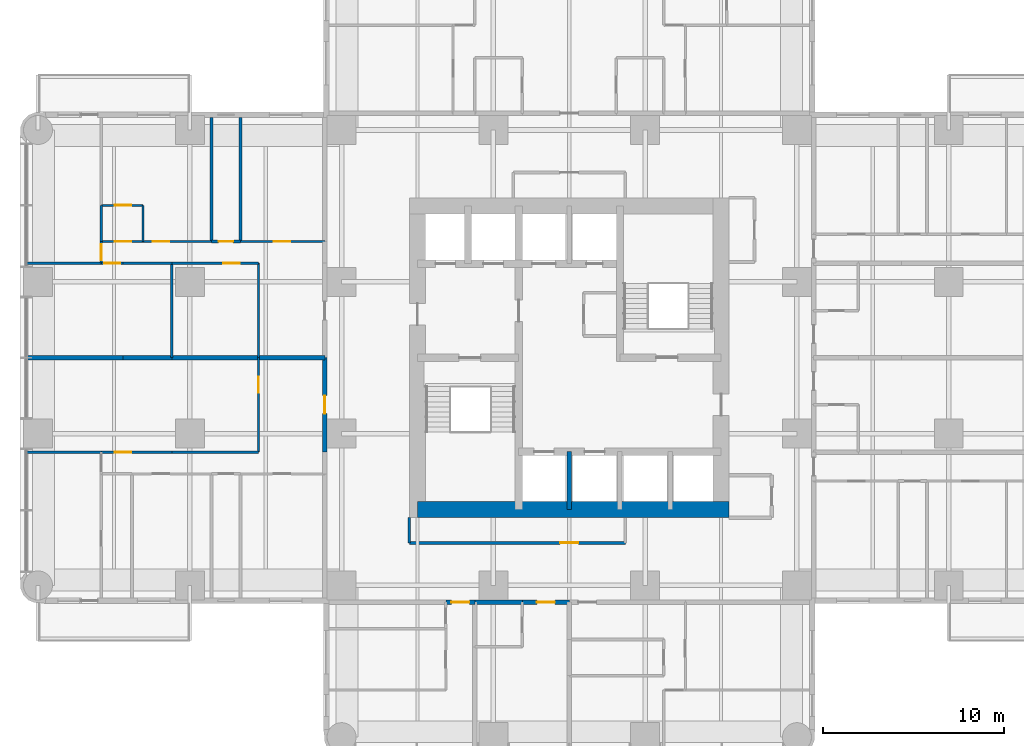
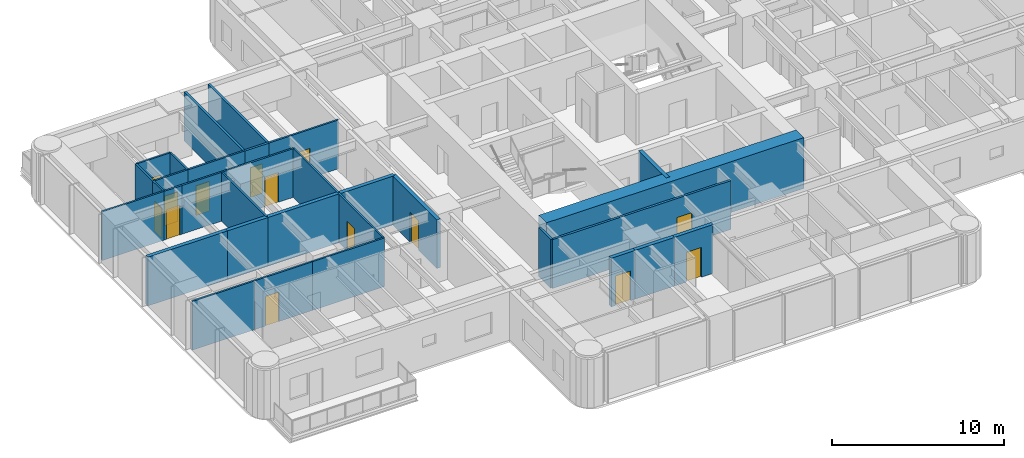
# One storey, part 7 of 14: 32 walls, 14 doors, 14 openings.
"""IFC4 building model written with IfcOpenShell, lengths in metres."""

from ifc_helpers import new_model, si_unit, direction, frame, frame_2d, origin, place, context, subcontext, project, spatial, rectangle, extrude, material, layer, layer_set, type_object, element, fill, save


model = new_model("IFC4")

# Units and contexts
model_context = context("Model", 3, precision=1e-05, world=origin(), true_north=direction((0.0, 1.0)))
body_context = subcontext(model_context, "Body", "Model", "MODEL_VIEW")
ifc_project = project(units=[si_unit("LENGTHUNIT", "METRE"), si_unit("AREAUNIT", "SQUARE_METRE"), si_unit("VOLUMEUNIT", "CUBIC_METRE"), si_unit("PLANEANGLEUNIT", "RADIAN"), si_unit("MASSUNIT", "GRAM", prefix="KILO")], contexts=[model_context])

# Site, building, storey
site_placement = place(None, origin())
site = spatial("IfcSite", under=ifc_project, at=site_placement, CompositionType="ELEMENT")
building_placement = place(site_placement, origin())
building = spatial("IfcBuilding", under=site, at=building_placement, Name="Torre Alcanfor", CompositionType="ELEMENT")
storey_placement = place(building_placement, frame((0.0, 0.0, 162.89990234375)))
storey = spatial("IfcBuildingStorey", under=building, at=storey_placement, Name="L42", CompositionType="ELEMENT", Elevation=162.89990234375)

# Wall, opening, door
ifc_material_1 = material(Name="Concrete block masonry, hollow blocks NMX-C-404 9 MPa", Category="masonry")
ifc_layer_1 = layer(ifc_material_1, 0.25)
ifc_layer_set_1 = layer_set([ifc_layer_1], Name="Apartment entrance wall 250 EI 60")
wall_type_1 = type_object("IfcWallType", Name="Apartment entrance wall 250 EI 60", PredefinedType="PARTITIONING", material=ifc_layer_set_1)
wall_1_placement = place(storey_placement, frame((29.39990234375, 15.875, 0.0), z_axis=(0.0, 0.0, 1.0), x_axis=(-1.0, 0.0, 0.0)))
wall_1 = element("IfcWall", 1, at=wall_1_placement, inside=storey, type_object=wall_type_1, Name="Partition L42-CORR / L42-S2A-STUDIO", PredefinedType="PARTITIONING", context=body_context, shape_type="SweptSolid", body=[
    extrude(rectangle(XDim=2.599853515625, YDim=0.25, at=frame_2d((1.2998046875, 0.0))), origin(), (0.0, 0.0, 1.0), 3.4501953125),
])
opening_1_placement = place(wall_1_placement, frame((0.800048828125, 0.0, 0.0)))
opening_1 = element("IfcOpeningElement", 2, at=opening_1_placement, cuts=wall_1, Name="Opening D-A1", PredefinedType="OPENING", context=body_context, shape_type="SweptSolid", body=[
    extrude(rectangle(XDim=1.0, YDim=2.10009765625, at=frame_2d((0.5, 1.050048828125))), frame((0.0, 0.135009765625, 0.0), z_axis=(0.0, -1.0, 0.0), x_axis=(1.0, 0.0, 0.0)), (0.0, 0.0, 1.0), 0.27001953125),
])
ifc_material_2 = material(Name="Galvanised steel sheet ASTM A653", Category="steel")
door_type_1 = type_object("IfcDoorType", Name="Apartment entrance door FD60 1000x2100", OperationType="SINGLE_SWING_LEFT", PredefinedType="DOOR", material=ifc_material_2)
door_1_placement = place(opening_1_placement, origin())
door_1 = element("IfcDoor", 3, at=door_1_placement, inside=storey, type_object=door_type_1, Name="Apartment entrance L42-S2A", OperationType="SINGLE_SWING_LEFT", OverallHeight=2.10009765625, OverallWidth=1.0, PredefinedType="DOOR", context=body_context, shape_type="SweptSolid", body=[
    extrude(rectangle(XDim=1.0, YDim=2.10009765625, at=frame_2d((0.5, 1.050048828125))), frame((0.0, 0.02490234375, 0.0), z_axis=(0.0, -1.0, 0.0), x_axis=(1.0, 0.0, 0.0)), (0.0, 0.0, 1.0), 0.050048828125),
])
fill(opening_1, door_1)

# Wall
wall_2_placement = place(storey_placement, frame((26.800048828125, 15.875, 0.0), z_axis=(0.0, 0.0, 1.0), x_axis=(-1.0, 0.0, 0.0)))
element("IfcWall", 4, at=wall_2_placement, inside=storey, type_object=wall_type_1, Name="Partition L42-CORR / L42-S2A-BATH", PredefinedType="PARTITIONING", context=body_context, shape_type="SweptSolid", body=[
    extrude(rectangle(XDim=2.629150390625, YDim=0.25, at=frame_2d((1.314453125, 0.0))), origin(), (0.0, 0.0, 1.0), 3.4501953125),
])

# Wall, opening, door
wall_3_placement = place(storey_placement, frame((24.1708984375, 15.875, 0.0), z_axis=(0.0, 0.0, 1.0), x_axis=(-1.0, 0.0, 0.0)))
wall_3 = element("IfcWall", 5, at=wall_3_placement, inside=storey, type_object=wall_type_1, Name="Partition L42-CORR / L42-S2B-LIVING", PredefinedType="PARTITIONING", context=body_context, shape_type="SweptSolid", body=[
    extrude(rectangle(XDim=1.599853515625, YDim=0.25, at=frame_2d((0.7998046875, 0.0))), origin(), (0.0, 0.0, 1.0), 3.4501953125),
])
opening_2_placement = place(wall_3_placement, frame((0.300048828125, 0.0, 0.0)))
opening_2 = element("IfcOpeningElement", 6, at=opening_2_placement, cuts=wall_3, Name="Opening D-A1", PredefinedType="OPENING", context=body_context, shape_type="SweptSolid", body=[
    extrude(rectangle(XDim=1.0, YDim=2.10009765625, at=frame_2d((0.5, 1.050048828125))), frame((0.0, 0.135009765625, 0.0), z_axis=(0.0, -1.0, 0.0), x_axis=(1.0, 0.0, 0.0)), (0.0, 0.0, 1.0), 0.27001953125),
])
door_2_placement = place(opening_2_placement, origin())
door_2 = element("IfcDoor", 7, at=door_2_placement, inside=storey, type_object=door_type_1, Name="Apartment entrance L42-S2B", OperationType="SINGLE_SWING_LEFT", OverallHeight=2.10009765625, OverallWidth=1.0, PredefinedType="DOOR", context=body_context, shape_type="SweptSolid", body=[
    extrude(rectangle(XDim=1.0, YDim=2.10009765625, at=frame_2d((0.5, 1.050048828125))), frame((0.0, 0.02490234375, 0.0), z_axis=(0.0, -1.0, 0.0), x_axis=(1.0, 0.0, 0.0)), (0.0, 0.0, 1.0), 0.050048828125),
])
fill(opening_2, door_2)

wall_4_placement = place(storey_placement, frame((15.875, 24.1708984375, 0.0), z_axis=(0.0, 0.0, 1.0), x_axis=(0.0, 1.0, 0.0)))
wall_4 = element("IfcWall", 8, at=wall_4_placement, inside=storey, type_object=wall_type_1, Name="Partition L42-CORR / L42-W1-ZAG", PredefinedType="PARTITIONING", context=body_context, shape_type="SweptSolid", body=[
    extrude(rectangle(XDim=5.22900390625, YDim=0.25, at=frame_2d((2.614501953125, 0.0))), origin(), (0.0, 0.0, 1.0), 3.4501953125),
])
opening_3_placement = place(wall_4_placement, frame((2.12890625, 0.0, 0.0)))
opening_3 = element("IfcOpeningElement", 9, at=opening_3_placement, cuts=wall_4, Name="Opening D-A1", PredefinedType="OPENING", context=body_context, shape_type="SweptSolid", body=[
    extrude(rectangle(XDim=1.0, YDim=2.10009765625, at=frame_2d((0.5, 1.050048828125))), frame((0.0, 0.135009765625, 0.0), z_axis=(0.0, -1.0, 0.0), x_axis=(1.0, 0.0, 0.0)), (0.0, 0.0, 1.0), 0.27001953125),
])
door_3_placement = place(opening_3_placement, origin())
door_3 = element("IfcDoor", 10, at=door_3_placement, inside=storey, type_object=door_type_1, Name="Apartment entrance L42-W1", OperationType="SINGLE_SWING_RIGHT", OverallHeight=2.10009765625, OverallWidth=1.0, PredefinedType="DOOR", context=body_context, shape_type="SweptSolid", body=[
    extrude(rectangle(XDim=1.0, YDim=2.10009765625, at=frame_2d((0.5, 1.050048828125))), frame((0.0, 0.02490234375, 0.0), z_axis=(0.0, -1.0, 0.0), x_axis=(1.0, 0.0, 0.0)), (0.0, 0.0, 1.0), 0.050048828125),
])
fill(opening_3, door_3)

ifc_material_3 = material(Name="Gypsum board on steel studs", Category="steel")
ifc_layer_2 = layer(ifc_material_3, 0.1201171875)
ifc_layer_set_2 = layer_set([ifc_layer_2], Name="Apartment partition 120")
wall_type_2 = type_object("IfcWallType", Name="Apartment partition 120", PredefinedType="PARTITIONING", material=ifc_layer_set_2)
wall_5_placement = place(storey_placement, frame((12.199951171875, 29.39990234375, 0.0), z_axis=(0.0, 0.0, 1.0), x_axis=(0.0, -1.0, 0.0)))
wall_5 = element("IfcWall", 11, at=wall_5_placement, inside=storey, type_object=wall_type_2, Name="Partition L42-W1-ZAG / L42-W1-KITCHEN", PredefinedType="PARTITIONING", context=body_context, shape_type="SweptSolid", body=[
    extrude(rectangle(XDim=5.22900390625, YDim=0.1201171875, at=frame_2d((2.614501953125, 0.0))), origin(), (0.0, 0.0, 1.0), 3.4501953125),
])
opening_4_placement = place(wall_5_placement, frame((1.050048828125, 0.0, 0.0)))
opening_4 = element("IfcOpeningElement", 12, at=opening_4_placement, cuts=wall_5, Name="Opening D-R1", PredefinedType="OPENING", context=body_context, shape_type="SweptSolid", body=[
    extrude(rectangle(XDim=0.89990234375, YDim=2.10009765625, at=frame_2d((0.449951171875, 1.050048828125))), frame((0.0, 0.070068359375, 0.0), z_axis=(0.0, -1.0, 0.0), x_axis=(1.0, 0.0, 0.0)), (0.0, 0.0, 1.0), 0.14013671875),
])
ifc_material_4 = material(Name="Timber", Category="wood")
door_type_2 = type_object("IfcDoorType", Name="Internal door 900x2100", OperationType="SINGLE_SWING_LEFT", PredefinedType="DOOR", material=ifc_material_4)
door_4_placement = place(opening_4_placement, frame((0.89990234375, 0.0, 0.0), z_axis=(0.0, 0.0, 1.0), x_axis=(-1.0, 0.0, 0.0)))
door_4 = element("IfcDoor", 13, at=door_4_placement, inside=storey, type_object=door_type_2, Name="Door L42-W1 kitchen", OperationType="SINGLE_SWING_RIGHT", OverallHeight=2.10009765625, OverallWidth=0.89990234375, PredefinedType="DOOR", context=body_context, shape_type="SweptSolid", body=[
    extrude(rectangle(XDim=0.89990234375, YDim=2.10009765625, at=frame_2d((0.449951171875, 1.050048828125))), frame((0.0, 0.025146484375, 0.0), z_axis=(0.0, -1.0, 0.0), x_axis=(1.0, 0.0, 0.0)), (0.0, 0.0, 1.0), 0.050048828125),
])
fill(opening_4, door_4)

# Wall
wall_6_placement = place(storey_placement, frame((7.39990234375, 24.1708984375, 0.0), z_axis=(0.0, 0.0, 1.0), x_axis=(1.0, 0.0, 0.0)))
element("IfcWall", 14, at=wall_6_placement, inside=storey, type_object=wall_type_2, Name="Partition L42-W1-KITCHEN / L42-W1-HALL", PredefinedType="PARTITIONING", context=body_context, shape_type="SweptSolid", body=[
    extrude(rectangle(XDim=4.800048828125, YDim=0.1201171875, at=frame_2d((2.39990234375, 0.0))), origin(), (0.0, 0.0, 1.0), 3.4501953125),
])

# Wall, opening, door
wall_7_placement = place(storey_placement, frame((3.5, 24.1708984375, 0.0), z_axis=(0.0, 0.0, 1.0), x_axis=(1.0, 0.0, 0.0)))
wall_7 = element("IfcWall", 15, at=wall_7_placement, inside=storey, type_object=wall_type_2, Name="Partition L42-W1-LIVING / L42-W1-HALL", PredefinedType="PARTITIONING", context=body_context, shape_type="SweptSolid", body=[
    extrude(rectangle(XDim=3.89990234375, YDim=0.1201171875, at=frame_2d((1.949951171875, 0.0))), origin(), (0.0, 0.0, 1.0), 3.4501953125),
])
opening_5_placement = place(wall_7_placement, frame((0.75, 0.0, 0.0)))
opening_5 = element("IfcOpeningElement", 16, at=opening_5_placement, cuts=wall_7, Name="Opening D-R1", PredefinedType="OPENING", context=body_context, shape_type="SweptSolid", body=[
    extrude(rectangle(XDim=0.89990234375, YDim=2.10009765625, at=frame_2d((0.449951171875, 1.050048828125))), frame((0.0, 0.070068359375, 0.0), z_axis=(0.0, -1.0, 0.0), x_axis=(1.0, 0.0, 0.0)), (0.0, 0.0, 1.0), 0.14013671875),
])
door_5_placement = place(opening_5_placement, origin())
door_5 = element("IfcDoor", 17, at=door_5_placement, inside=storey, type_object=door_type_2, Name="Door L42-W1 living", OperationType="SINGLE_SWING_RIGHT", OverallHeight=2.10009765625, OverallWidth=0.89990234375, PredefinedType="DOOR", context=body_context, shape_type="SweptSolid", body=[
    extrude(rectangle(XDim=0.89990234375, YDim=2.10009765625, at=frame_2d((0.449951171875, 1.050048828125))), frame((0.0, 0.02490234375, 0.0), z_axis=(0.0, -1.0, 0.0), x_axis=(1.0, 0.0, 0.0)), (0.0, 0.0, 1.0), 0.050048828125),
])
fill(opening_5, door_5)

# Walls
wall_8_placement = place(storey_placement, frame((-0.64990234375, 24.1708984375, 0.0), z_axis=(0.0, 0.0, 1.0), x_axis=(1.0, 0.0, 0.0)))
element("IfcWall", 18, at=wall_8_placement, inside=storey, type_object=wall_type_2, Name="Partition L42-W1-LIVING / L42-W1-MASTER", PredefinedType="PARTITIONING", context=body_context, shape_type="SweptSolid", body=[
    extrude(rectangle(XDim=4.14990234375, YDim=0.1201171875, at=frame_2d((2.074951171875, 0.0))), origin(), (0.0, 0.0, 1.0), 3.4501953125),
])
for number, where, z_axis, x_axis, name in (
    (19, (12.199951171875, 29.39990234375, 0.0), (0.0, 0.0, 1.0), (0.0, 1.0, 0.0), "Partition L42-W2-ZAG / L42-W2-FAMILY"),
    (20, (7.39990234375, 29.39990234375, 0.0), (0.0, 0.0, 1.0), (0.0, 1.0, 0.0), "Partition L42-W2-FAMILY / L42-W2-KITCHEN"),
):
    element("IfcWall", number, at=place(storey_placement, frame(where, z_axis=z_axis, x_axis=x_axis)), inside=storey, type_object=wall_type_2, Name=name, PredefinedType="PARTITIONING", context=body_context, shape_type="SweptSolid", body=[
        extrude(rectangle(XDim=5.22900390625, YDim=0.1201171875, at=frame_2d((2.614501953125, 0.0))), origin(), (0.0, 0.0, 1.0), 3.4501953125),
    ])

# Wall, opening, door
wall_9_placement = place(storey_placement, frame((7.39990234375, 34.62890625, 0.0), z_axis=(0.0, 0.0, 1.0), x_axis=(1.0, 0.0, 0.0)))
wall_9 = element("IfcWall", 21, at=wall_9_placement, inside=storey, type_object=wall_type_2, Name="Partition L42-W2-FAMILY / L42-W2-HALL", PredefinedType="PARTITIONING", context=body_context, shape_type="SweptSolid", body=[
    extrude(rectangle(XDim=4.800048828125, YDim=0.1201171875, at=frame_2d((2.39990234375, 0.0))), origin(), (0.0, 0.0, 1.0), 3.4501953125),
])
opening_6_placement = place(wall_9_placement, frame((2.85009765625, 0.0, 0.0)))
opening_6 = element("IfcOpeningElement", 22, at=opening_6_placement, cuts=wall_9, Name="Opening D-R1", PredefinedType="OPENING", context=body_context, shape_type="SweptSolid", body=[
    extrude(rectangle(XDim=0.89990234375, YDim=2.10009765625, at=frame_2d((0.449951171875, 1.050048828125))), frame((0.0, 0.070068359375, 0.0), z_axis=(0.0, -1.0, 0.0), x_axis=(1.0, 0.0, 0.0)), (0.0, 0.0, 1.0), 0.14013671875),
])
door_6_placement = place(opening_6_placement, frame((0.89990234375, 0.0, 0.0), z_axis=(0.0, 0.0, 1.0), x_axis=(-1.0, 0.0, 0.0)))
door_6 = element("IfcDoor", 23, at=door_6_placement, inside=storey, type_object=door_type_2, Name="Door L42-W2 family", OperationType="SINGLE_SWING_LEFT", OverallHeight=2.10009765625, OverallWidth=0.89990234375, PredefinedType="DOOR", context=body_context, shape_type="SweptSolid", body=[
    extrude(rectangle(XDim=0.89990234375, YDim=2.10009765625, at=frame_2d((0.449951171875, 1.050048828125))), frame((0.0, 0.025146484375, 0.0), z_axis=(0.0, -1.0, 0.0), x_axis=(1.0, 0.0, 0.0)), (0.0, 0.0, 1.0), 0.050048828125),
])
fill(opening_6, door_6)

# Wall
wall_10_placement = place(storey_placement, frame((4.699951171875, 34.62890625, 0.0), z_axis=(0.0, 0.0, 1.0), x_axis=(1.0, 0.0, 0.0)))
element("IfcWall", 24, at=wall_10_placement, inside=storey, type_object=wall_type_2, Name="Partition L42-W2-KITCHEN / L42-W2-HALL", PredefinedType="PARTITIONING", context=body_context, shape_type="SweptSolid", body=[
    extrude(rectangle(XDim=2.699951171875, YDim=0.1201171875, at=frame_2d((1.35009765625, 0.0))), origin(), (0.0, 0.0, 1.0), 3.4501953125),
])

# Wall, opening, door
wall_11_placement = place(storey_placement, frame((3.5, 34.62890625, 0.0), z_axis=(0.0, 0.0, 1.0), x_axis=(1.0, 0.0, 0.0)))
wall_11 = element("IfcWall", 25, at=wall_11_placement, inside=storey, type_object=wall_type_2, Name="Partition L42-W2-LIVING / L42-W2-HALL", PredefinedType="PARTITIONING", context=body_context, shape_type="SweptSolid", body=[
    extrude(rectangle(XDim=1.199951171875, YDim=0.1201171875, at=frame_2d((0.60009765625, 0.0))), origin(), (0.0, 0.0, 1.0), 3.4501953125),
])
opening_7_placement = place(wall_11_placement, frame((0.14990234375, 0.0, 0.0)))
opening_7 = element("IfcOpeningElement", 26, at=opening_7_placement, cuts=wall_11, Name="Opening D-R1", PredefinedType="OPENING", context=body_context, shape_type="SweptSolid", body=[
    extrude(rectangle(XDim=0.89990234375, YDim=2.10009765625, at=frame_2d((0.449951171875, 1.050048828125))), frame((0.0, 0.070068359375, 0.0), z_axis=(0.0, -1.0, 0.0), x_axis=(1.0, 0.0, 0.0)), (0.0, 0.0, 1.0), 0.14013671875),
])
door_7_placement = place(opening_7_placement, frame((0.89990234375, 0.0, 0.0), z_axis=(0.0, 0.0, 1.0), x_axis=(-1.0, 0.0, 0.0)))
door_7 = element("IfcDoor", 27, at=door_7_placement, inside=storey, type_object=door_type_2, Name="Door L42-W2 living", OperationType="SINGLE_SWING_LEFT", OverallHeight=2.10009765625, OverallWidth=0.89990234375, PredefinedType="DOOR", context=body_context, shape_type="SweptSolid", body=[
    extrude(rectangle(XDim=0.89990234375, YDim=2.10009765625, at=frame_2d((0.449951171875, 1.050048828125))), frame((0.0, 0.025146484375, 0.0), z_axis=(0.0, -1.0, 0.0), x_axis=(1.0, 0.0, 0.0)), (0.0, 0.0, 1.0), 0.050048828125),
])
fill(opening_7, door_7)

# Wall
wall_12_placement = place(storey_placement, frame((-0.64990234375, 34.62890625, 0.0), z_axis=(0.0, 0.0, 1.0), x_axis=(1.0, 0.0, 0.0)))
element("IfcWall", 28, at=wall_12_placement, inside=storey, type_object=wall_type_2, Name="Partition L42-W2-LIVING / L42-W2-WGARD", PredefinedType="PARTITIONING", context=body_context, shape_type="SweptSolid", body=[
    extrude(rectangle(XDim=4.14990234375, YDim=0.1201171875, at=frame_2d((2.074951171875, 0.0))), origin(), (0.0, 0.0, 1.0), 3.4501953125),
])

# Wall, opening, door
wall_13_placement = place(storey_placement, frame((11.199951171875, 35.8291015625, 0.0), z_axis=(0.0, 0.0, 1.0), x_axis=(1.0, 0.0, 0.0)))
wall_13 = element("IfcWall", 29, at=wall_13_placement, inside=storey, type_object=wall_type_2, Name="Partition L42-W2-HALL / L42-W2-BED2", PredefinedType="PARTITIONING", context=body_context, shape_type="SweptSolid", body=[
    extrude(rectangle(XDim=4.675048828125, YDim=0.1201171875, at=frame_2d((2.33740234375, 0.0))), origin(), (0.0, 0.0, 1.0), 3.4501953125),
])
opening_8_placement = place(wall_13_placement, frame((1.85009765625, 0.0, 0.0)))
opening_8 = element("IfcOpeningElement", 30, at=opening_8_placement, cuts=wall_13, Name="Opening D-R1", PredefinedType="OPENING", context=body_context, shape_type="SweptSolid", body=[
    extrude(rectangle(XDim=0.89990234375, YDim=2.10009765625, at=frame_2d((0.449951171875, 1.050048828125))), frame((0.0, 0.070068359375, 0.0), z_axis=(0.0, -1.0, 0.0), x_axis=(1.0, 0.0, 0.0)), (0.0, 0.0, 1.0), 0.14013671875),
])
door_8_placement = place(opening_8_placement, origin())
door_8 = element("IfcDoor", 31, at=door_8_placement, inside=storey, type_object=door_type_2, Name="Door L42-W2 bed2", OperationType="SINGLE_SWING_LEFT", OverallHeight=2.10009765625, OverallWidth=0.89990234375, PredefinedType="DOOR", context=body_context, shape_type="SweptSolid", body=[
    extrude(rectangle(XDim=0.89990234375, YDim=2.10009765625, at=frame_2d((0.449951171875, 1.050048828125))), frame((0.0, 0.02490234375, 0.0), z_axis=(0.0, -1.0, 0.0), x_axis=(1.0, 0.0, 0.0)), (0.0, 0.0, 1.0), 0.050048828125),
])
fill(opening_8, door_8)

wall_14_placement = place(storey_placement, frame((5.800048828125, 35.8291015625, 0.0), z_axis=(0.0, 0.0, 1.0), x_axis=(1.0, 0.0, 0.0)))
wall_14 = element("IfcWall", 32, at=wall_14_placement, inside=storey, type_object=wall_type_2, Name="Partition L42-W2-HALL / L42-W2-MASTER", PredefinedType="PARTITIONING", context=body_context, shape_type="SweptSolid", body=[
    extrude(rectangle(XDim=3.800048828125, YDim=0.1201171875, at=frame_2d((1.89990234375, 0.0))), origin(), (0.0, 0.0, 1.0), 3.4501953125),
])
opening_9_placement = place(wall_14_placement, frame((0.550048828125, 0.0, 0.0)))
opening_9 = element("IfcOpeningElement", 33, at=opening_9_placement, cuts=wall_14, Name="Opening D-R1", PredefinedType="OPENING", context=body_context, shape_type="SweptSolid", body=[
    extrude(rectangle(XDim=0.89990234375, YDim=2.10009765625, at=frame_2d((0.449951171875, 1.050048828125))), frame((0.0, 0.070068359375, 0.0), z_axis=(0.0, -1.0, 0.0), x_axis=(1.0, 0.0, 0.0)), (0.0, 0.0, 1.0), 0.14013671875),
])
door_9_placement = place(opening_9_placement, origin())
door_9 = element("IfcDoor", 34, at=door_9_placement, inside=storey, type_object=door_type_2, Name="Door L42-W2 master", OperationType="SINGLE_SWING_LEFT", OverallHeight=2.10009765625, OverallWidth=0.89990234375, PredefinedType="DOOR", context=body_context, shape_type="SweptSolid", body=[
    extrude(rectangle(XDim=0.89990234375, YDim=2.10009765625, at=frame_2d((0.449951171875, 1.050048828125))), frame((0.0, 0.02490234375, 0.0), z_axis=(0.0, -1.0, 0.0), x_axis=(1.0, 0.0, 0.0)), (0.0, 0.0, 1.0), 0.050048828125),
])
fill(opening_9, door_9)

wall_15_placement = place(storey_placement, frame((3.5, 35.8291015625, 0.0), z_axis=(0.0, 0.0, 1.0), x_axis=(1.0, 0.0, 0.0)))
wall_15 = element("IfcWall", 35, at=wall_15_placement, inside=storey, type_object=wall_type_2, Name="Partition L42-W2-HALL / L42-W2-VEST", PredefinedType="PARTITIONING", context=body_context, shape_type="SweptSolid", body=[
    extrude(rectangle(XDim=2.300048828125, YDim=0.1201171875, at=frame_2d((1.14990234375, 0.0))), origin(), (0.0, 0.0, 1.0), 3.4501953125),
])
opening_10_placement = place(wall_15_placement, frame((0.75, 0.0, 0.0)))
opening_10 = element("IfcOpeningElement", 36, at=opening_10_placement, cuts=wall_15, Name="Opening D-R1", PredefinedType="OPENING", context=body_context, shape_type="SweptSolid", body=[
    extrude(rectangle(XDim=0.89990234375, YDim=2.10009765625, at=frame_2d((0.449951171875, 1.050048828125))), frame((0.0, 0.070068359375, 0.0), z_axis=(0.0, -1.0, 0.0), x_axis=(1.0, 0.0, 0.0)), (0.0, 0.0, 1.0), 0.14013671875),
])
door_10_placement = place(opening_10_placement, origin())
door_10 = element("IfcDoor", 37, at=door_10_placement, inside=storey, type_object=door_type_2, Name="Door L42-W2 vest", OperationType="SINGLE_SWING_RIGHT", OverallHeight=2.10009765625, OverallWidth=0.89990234375, PredefinedType="DOOR", context=body_context, shape_type="SweptSolid", body=[
    extrude(rectangle(XDim=0.89990234375, YDim=2.10009765625, at=frame_2d((0.449951171875, 1.050048828125))), frame((0.0, 0.02490234375, 0.0), z_axis=(0.0, -1.0, 0.0), x_axis=(1.0, 0.0, 0.0)), (0.0, 0.0, 1.0), 0.050048828125),
])
fill(opening_10, door_10)

wall_16_placement = place(storey_placement, frame((3.5, 34.62890625, 0.0), z_axis=(0.0, 0.0, 1.0), x_axis=(0.0, 1.0, 0.0)))
wall_16 = element("IfcWall", 38, at=wall_16_placement, inside=storey, type_object=wall_type_2, Name="Partition L42-W2-HALL / L42-W2-WGARD", PredefinedType="PARTITIONING", context=body_context, shape_type="SweptSolid", body=[
    extrude(rectangle(XDim=1.2001953125, YDim=0.1201171875, at=frame_2d((0.60009765625, 0.0))), origin(), (0.0, 0.0, 1.0), 3.4501953125),
])
opening_11_placement = place(wall_16_placement, frame((0.15087890625, 0.0, 0.0)))
opening_11 = element("IfcOpeningElement", 39, at=opening_11_placement, cuts=wall_16, Name="Opening D-R1", PredefinedType="OPENING", context=body_context, shape_type="SweptSolid", body=[
    extrude(rectangle(XDim=0.89990234375, YDim=2.10009765625, at=frame_2d((0.449951171875, 1.050048828125))), frame((0.0, 0.070068359375, 0.0), z_axis=(0.0, -1.0, 0.0), x_axis=(1.0, 0.0, 0.0)), (0.0, 0.0, 1.0), 0.14013671875),
])
door_11_placement = place(opening_11_placement, origin())
door_11 = element("IfcDoor", 40, at=door_11_placement, inside=storey, type_object=door_type_2, Name="Door L42-W2 wgard", OperationType="SINGLE_SWING_LEFT", OverallHeight=2.10009765625, OverallWidth=0.89990234375, PredefinedType="DOOR", context=body_context, shape_type="SweptSolid", body=[
    extrude(rectangle(XDim=0.89990234375, YDim=2.10009765625, at=frame_2d((0.449951171875, 1.050048828125))), frame((0.0, 0.02490234375, 0.0), z_axis=(0.0, -1.0, 0.0), x_axis=(1.0, 0.0, 0.0)), (0.0, 0.0, 1.0), 0.050048828125),
])
fill(opening_11, door_11)

# Wall
wall_17_placement = place(storey_placement, frame((5.800048828125, 35.8291015625, 0.0), z_axis=(0.0, 0.0, 1.0), x_axis=(0.0, 1.0, 0.0)))
element("IfcWall", 41, at=wall_17_placement, inside=storey, type_object=wall_type_2, Name="Partition L42-W2-MASTER / L42-W2-VEST", PredefinedType="PARTITIONING", context=body_context, shape_type="SweptSolid", body=[
    extrude(rectangle(XDim=2.0, YDim=0.1201171875, at=frame_2d((1.0, 0.0))), origin(), (0.0, 0.0, 1.0), 3.4501953125),
])

# Wall, opening, door
wall_18_placement = place(storey_placement, frame((5.800048828125, 37.8291015625, 0.0), z_axis=(0.0, 0.0, 1.0), x_axis=(-1.0, 0.0, 0.0)))
wall_18 = element("IfcWall", 42, at=wall_18_placement, inside=storey, type_object=wall_type_2, Name="Partition L42-W2-MASTER / L42-W2-VEST", PredefinedType="PARTITIONING", context=body_context, shape_type="SweptSolid", body=[
    extrude(rectangle(XDim=2.300048828125, YDim=0.1201171875, at=frame_2d((1.14990234375, 0.0))), origin(), (0.0, 0.0, 1.0), 3.4501953125),
])
opening_12_placement = place(wall_18_placement, frame((0.64990234375, 0.0, 0.0)))
opening_12 = element("IfcOpeningElement", 43, at=opening_12_placement, cuts=wall_18, Name="Opening D-R1", PredefinedType="OPENING", context=body_context, shape_type="SweptSolid", body=[
    extrude(rectangle(XDim=0.89990234375, YDim=2.10009765625, at=frame_2d((0.449951171875, 1.050048828125))), frame((0.0, 0.070068359375, 0.0), z_axis=(0.0, -1.0, 0.0), x_axis=(1.0, 0.0, 0.0)), (0.0, 0.0, 1.0), 0.14013671875),
])
door_12_placement = place(opening_12_placement, origin())
door_12 = element("IfcDoor", 44, at=door_12_placement, inside=storey, type_object=door_type_2, Name="Door L42-W2 master", OperationType="SINGLE_SWING_LEFT", OverallHeight=2.10009765625, OverallWidth=0.89990234375, PredefinedType="DOOR", context=body_context, shape_type="SweptSolid", body=[
    extrude(rectangle(XDim=0.89990234375, YDim=2.10009765625, at=frame_2d((0.449951171875, 1.050048828125))), frame((0.0, 0.02490234375, 0.0), z_axis=(0.0, -1.0, 0.0), x_axis=(1.0, 0.0, 0.0)), (0.0, 0.0, 1.0), 0.050048828125),
])
fill(opening_12, door_12)

# Walls
wall_19_placement = place(storey_placement, frame((3.5, 35.8291015625, 0.0), z_axis=(0.0, 0.0, 1.0), x_axis=(0.0, 1.0, 0.0)))
element("IfcWall", 45, at=wall_19_placement, inside=storey, type_object=wall_type_2, Name="Partition L42-W2-VEST / L42-W2-WGARD", PredefinedType="PARTITIONING", context=body_context, shape_type="SweptSolid", body=[
    extrude(rectangle(XDim=2.0, YDim=0.1201171875, at=frame_2d((1.0, 0.0))), origin(), (0.0, 0.0, 1.0), 3.4501953125),
])
ifc_material_5 = material(Name="Concrete f'c 70 MPa", Category="concrete")
ifc_layer_3 = layer(ifc_material_5, 0.25)
ifc_layer_set_3 = layer_set([ifc_layer_3], Name="Core shaft wall 250 f'c70")
wall_type_3 = type_object("IfcWallType", Name="Core shaft wall 250 f'c70", PredefinedType="SHEAR", material=ifc_layer_set_3)
wall_20_placement = place(storey_placement, frame((29.39990234375, 21.0, 0.0), z_axis=(0.0, 0.0, 1.0), x_axis=(0.0, 1.0, 0.0)))
element("IfcWall", 46, at=wall_20_placement, inside=storey, type_object=wall_type_3, Name="Core wall X294S L42", PredefinedType="SHEAR", context=body_context, shape_type="SweptSolid", body=[
    extrude(rectangle(XDim=3.199951171875, YDim=0.25, at=frame_2d((1.60009765625, 0.0))), origin(), (0.0, 0.0, 1.0), 3.60009765625),
])
ifc_material_6 = material(Name="Concrete f'c 70 MPa", Category="concrete")
ifc_layer_4 = layer(ifc_material_6, 0.89990234375)
ifc_layer_set_4 = layer_set([ifc_layer_4], Name="Core wall 900 f'c70")
wall_type_4 = type_object("IfcWallType", Name="Core wall 900 f'c70", PredefinedType="SHEAR", material=ifc_layer_set_4)
wall_21_placement = place(storey_placement, frame((21.0, 21.0, 0.0), z_axis=(0.0, 0.0, 1.0), x_axis=(1.0, 0.0, 0.0)))
element("IfcWall", 47, at=wall_21_placement, inside=storey, type_object=wall_type_4, Name="Core wall OUT-S L42", PredefinedType="SHEAR", context=body_context, shape_type="SweptSolid", body=[
    extrude(rectangle(XDim=17.25, YDim=0.89990234375, at=frame_2d((8.625, 0.0))), origin(), (0.0, 0.0, 1.0), 3.60009765625),
])
ifc_material_7 = material(Name="Concrete block masonry, hollow blocks NMX-C-404 9 MPa", Category="masonry")
ifc_layer_5 = layer(ifc_material_7, 0.25)
ifc_layer_set_5 = layer_set([ifc_layer_5], Name="Party wall 250 EI 60")
wall_type_5 = type_object("IfcWallType", Name="Party wall 250 EI 60", PredefinedType="PARTITIONING", material=ifc_layer_set_5)
wall_22_placement = place(storey_placement, frame((15.875, 29.39990234375, 0.0), z_axis=(0.0, 0.0, 1.0), x_axis=(-1.0, 0.0, 0.0)))
element("IfcWall", 48, at=wall_22_placement, inside=storey, type_object=wall_type_5, Name="Partition L42-W1-ZAG / L42-W2-ZAG", PredefinedType="PARTITIONING", context=body_context, shape_type="SweptSolid", body=[
    extrude(rectangle(XDim=3.675048828125, YDim=0.25, at=frame_2d((1.83740234375, 0.0))), origin(), (0.0, 0.0, 1.0), 3.4501953125),
])
wall_23_placement = place(storey_placement, frame((12.199951171875, 29.39990234375, 0.0), z_axis=(0.0, 0.0, 1.0), x_axis=(-1.0, 0.0, 0.0)))
element("IfcWall", 49, at=wall_23_placement, inside=storey, type_object=wall_type_5, Name="Partition L42-W1-KITCHEN / L42-W2-FAMILY", PredefinedType="PARTITIONING", context=body_context, shape_type="SweptSolid", body=[
    extrude(rectangle(XDim=4.800048828125, YDim=0.25, at=frame_2d((2.39990234375, 0.0))), origin(), (0.0, 0.0, 1.0), 3.4501953125),
])
wall_24_placement = place(storey_placement, frame((7.39990234375, 29.39990234375, 0.0), z_axis=(0.0, 0.0, 1.0), x_axis=(-1.0, 0.0, 0.0)))
element("IfcWall", 50, at=wall_24_placement, inside=storey, type_object=wall_type_5, Name="Partition L42-W1-LIVING / L42-W2-KITCHEN", PredefinedType="PARTITIONING", context=body_context, shape_type="SweptSolid", body=[
    extrude(rectangle(XDim=2.699951171875, YDim=0.25, at=frame_2d((1.35009765625, 0.0))), origin(), (0.0, 0.0, 1.0), 3.4501953125),
])
wall_25_placement = place(storey_placement, frame((4.699951171875, 29.39990234375, 0.0), z_axis=(0.0, 0.0, 1.0), x_axis=(-1.0, 0.0, 0.0)))
element("IfcWall", 51, at=wall_25_placement, inside=storey, type_object=wall_type_5, Name="Partition L42-W1-LIVING / L42-W2-LIVING", PredefinedType="PARTITIONING", context=body_context, shape_type="SweptSolid", body=[
    extrude(rectangle(XDim=5.349853515625, YDim=0.25, at=frame_2d((2.6748046875, 0.0))), origin(), (0.0, 0.0, 1.0), 3.4501953125),
])
ifc_material_8 = material(Name="Concrete block masonry, hollow blocks NMX-C-404 9 MPa", Category="masonry")
ifc_layer_6 = layer(ifc_material_8, 0.14990234375)
ifc_layer_set_6 = layer_set([ifc_layer_6], Name="Residents' room partition 150")
wall_type_6 = type_object("IfcWallType", Name="Residents' room partition 150", PredefinedType="PARTITIONING", material=ifc_layer_set_6)
wall_26_placement = place(storey_placement, frame((20.550048828125, 20.550048828125, 0.0), z_axis=(0.0, 0.0, 1.0), x_axis=(0.0, -1.0, 0.0)))
element("IfcWall", 52, at=wall_26_placement, inside=storey, type_object=wall_type_6, Name="Partition L42-CORR / L42-G04", PredefinedType="PARTITIONING", context=body_context, shape_type="SweptSolid", body=[
    extrude(rectangle(XDim=1.400146484375, YDim=0.14990234375, at=frame_2d((0.7001953125, 0.0))), origin(), (0.0, 0.0, 1.0), 3.4501953125),
])

# Wall, opening, door
wall_27_placement = place(storey_placement, frame((20.550048828125, 19.14990234375, 0.0), z_axis=(0.0, 0.0, 1.0), x_axis=(1.0, 0.0, 0.0)))
wall_27 = element("IfcWall", 53, at=wall_27_placement, inside=storey, type_object=wall_type_6, Name="Partition L42-CORR / L42-G04", PredefinedType="PARTITIONING", context=body_context, shape_type="SweptSolid", body=[
    extrude(rectangle(XDim=11.949951171875, YDim=0.14990234375, at=frame_2d((5.97509765625, 0.0))), origin(), (0.0, 0.0, 1.0), 3.4501953125),
])
opening_13_placement = place(wall_27_placement, frame((8.35009765625, 0.0, 0.0)))
opening_13 = element("IfcOpeningElement", 54, at=opening_13_placement, cuts=wall_27, Name="Opening D-M1", PredefinedType="OPENING", context=body_context, shape_type="SweptSolid", body=[
    extrude(rectangle(XDim=1.0, YDim=2.10009765625, at=frame_2d((0.5, 1.050048828125))), frame((0.0, 0.0849609375, 0.0), z_axis=(0.0, -1.0, 0.0), x_axis=(1.0, 0.0, 0.0)), (0.0, 0.0, 1.0), 0.169921875),
])
ifc_material_9 = material(Name="Timber", Category="wood")
door_type_3 = type_object("IfcDoorType", Name="Residents' room door 1000x2100", OperationType="SINGLE_SWING_LEFT", PredefinedType="DOOR", material=ifc_material_9)
door_13_placement = place(opening_13_placement, origin())
door_13 = element("IfcDoor", 55, at=door_13_placement, inside=storey, type_object=door_type_3, Name="Door L42-G04 pram and buggy store", OperationType="SINGLE_SWING_RIGHT", OverallHeight=2.10009765625, OverallWidth=1.0, PredefinedType="DOOR", context=body_context, shape_type="SweptSolid", body=[
    extrude(rectangle(XDim=1.0, YDim=2.10009765625, at=frame_2d((0.5, 1.050048828125))), frame((0.0, 0.02490234375, 0.0), z_axis=(0.0, -1.0, 0.0), x_axis=(1.0, 0.0, 0.0)), (0.0, 0.0, 1.0), 0.050048828125),
])
fill(opening_13, door_13)

ifc_material_10 = material(Name="Cement board on steel studs", Category="steel")
ifc_layer_7 = layer(ifc_material_10, 0.14990234375)
ifc_layer_set_7 = layer_set([ifc_layer_7], Name="Wet area partition 150")
wall_type_7 = type_object("IfcWallType", Name="Wet area partition 150", PredefinedType="PARTITIONING", material=ifc_layer_set_7)
wall_28_placement = place(storey_placement, frame((9.60009765625, 35.8291015625, 0.0), z_axis=(0.0, 0.0, 1.0), x_axis=(1.0, 0.0, 0.0)))
wall_28 = element("IfcWall", 56, at=wall_28_placement, inside=storey, type_object=wall_type_7, Name="Partition L42-W2-HALL / L42-W2-BATH1", PredefinedType="PARTITIONING", context=body_context, shape_type="SweptSolid", body=[
    extrude(rectangle(XDim=1.599853515625, YDim=0.14990234375, at=frame_2d((0.7998046875, 0.0))), origin(), (0.0, 0.0, 1.0), 3.4501953125),
])
opening_14_placement = place(wall_28_placement, frame((0.39990234375, 0.0, 0.0)))
opening_14 = element("IfcOpeningElement", 57, at=opening_14_placement, cuts=wall_28, Name="Opening D-R2", PredefinedType="OPENING", context=body_context, shape_type="SweptSolid", body=[
    extrude(rectangle(XDim=0.800048828125, YDim=2.10009765625, at=frame_2d((0.39990234375, 1.050048828125))), frame((0.0, 0.0849609375, 0.0), z_axis=(0.0, -1.0, 0.0), x_axis=(1.0, 0.0, 0.0)), (0.0, 0.0, 1.0), 0.169921875),
])
ifc_material_11 = material(Name="Timber", Category="wood")
door_type_4 = type_object("IfcDoorType", Name="Bathroom door 800x2100", OperationType="SINGLE_SWING_LEFT", PredefinedType="DOOR", material=ifc_material_11)
door_14_placement = place(opening_14_placement, origin())
door_14 = element("IfcDoor", 58, at=door_14_placement, inside=storey, type_object=door_type_4, Name="Door L42-W2 bath1", OperationType="SINGLE_SWING_LEFT", OverallHeight=2.10009765625, OverallWidth=0.800048828125, PredefinedType="DOOR", context=body_context, shape_type="SweptSolid", body=[
    extrude(rectangle(XDim=0.800048828125, YDim=2.10009765625, at=frame_2d((0.39990234375, 1.050048828125))), frame((0.0, 0.02490234375, 0.0), z_axis=(0.0, -1.0, 0.0), x_axis=(1.0, 0.0, 0.0)), (0.0, 0.0, 1.0), 0.050048828125),
])
fill(opening_14, door_14)

# Walls
for number, where, z_axis, x_axis, name in (
    (59, (11.199951171875, 35.8291015625, 0.0), (0.0, 0.0, 1.0), (0.0, 1.0, 0.0), "Partition L42-W2-BED2 / L42-W2-BATH1"),
    (60, (9.60009765625, 35.8291015625, 0.0), (0.0, 0.0, 1.0), (0.0, 1.0, 0.0), "Partition L42-W2-BATH1 / L42-W2-MASTER"),
):
    element("IfcWall", number, at=place(storey_placement, frame(where, z_axis=z_axis, x_axis=x_axis)), inside=storey, type_object=wall_type_7, Name=name, PredefinedType="PARTITIONING", context=body_context, shape_type="SweptSolid", body=[
        extrude(rectangle(XDim=6.870849609375, YDim=0.14990234375, at=frame_2d((3.435546875, 0.0))), origin(), (0.0, 0.0, 1.0), 3.4501953125),
    ])

save(model, "model.ifc")
